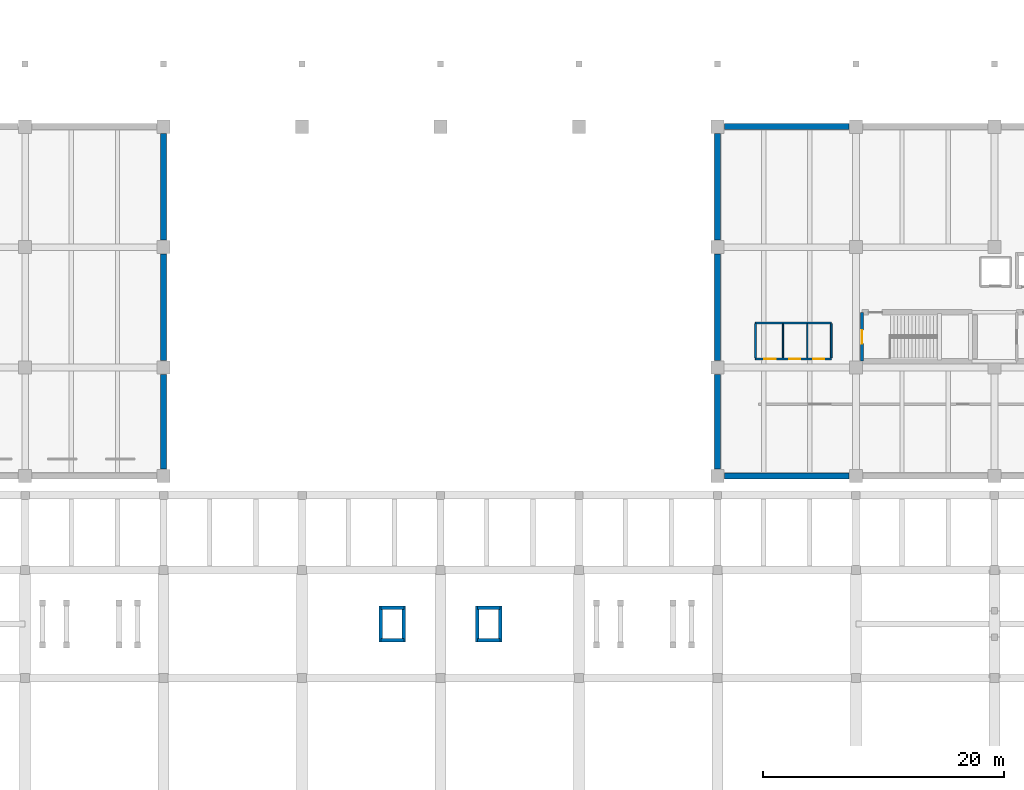
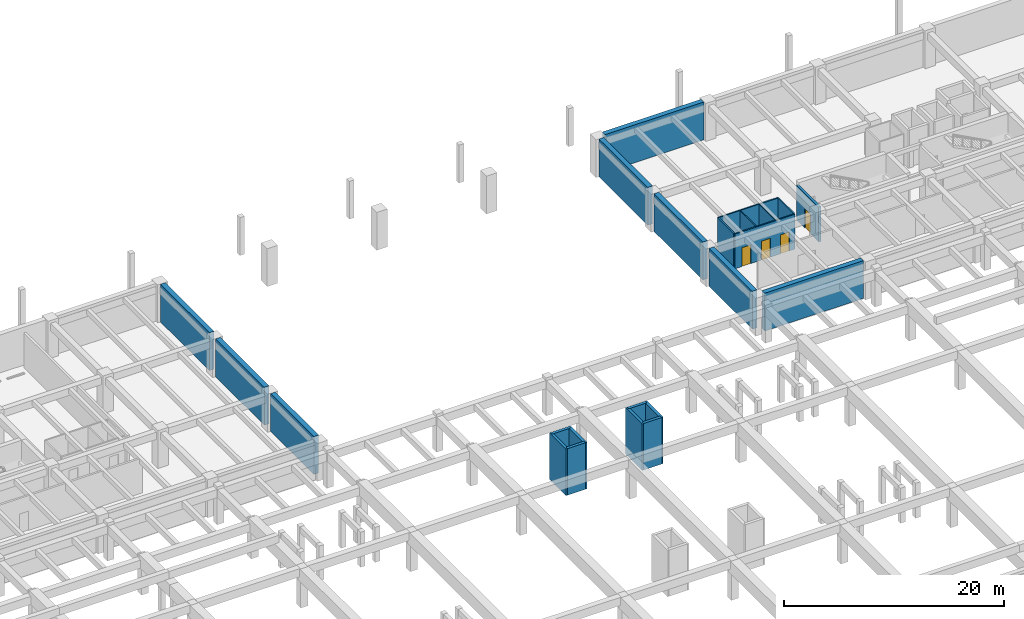
# One storey, part 13 of 20: 23 walls, 4 doors, 4 openings.
"""IFC4 building model written with IfcOpenShell, lengths in metres."""

from ifc_helpers import new_model, si_unit, direction, frame, frame_2d, origin, place, context, subcontext, project, spatial, rectangle, extrude, material, layer, layer_set, type_object, element, fill, save


model = new_model("IFC4")

# Units and contexts
model_context = context("Model", 3, precision=1e-05, world=origin(), true_north=direction((0.0, 1.0)))
body_context = subcontext(model_context, "Body", "Model", "MODEL_VIEW")
ifc_project = project(units=[si_unit("LENGTHUNIT", "METRE"), si_unit("AREAUNIT", "SQUARE_METRE"), si_unit("VOLUMEUNIT", "CUBIC_METRE"), si_unit("PLANEANGLEUNIT", "RADIAN"), si_unit("MASSUNIT", "GRAM", prefix="KILO")], contexts=[model_context])

# Site, building, storey
site_placement = place(None, origin())
site = spatial("IfcSite", under=ifc_project, at=site_placement, CompositionType="ELEMENT")
building_placement = place(site_placement, origin())
building = spatial("IfcBuilding", under=site, at=building_placement, Name="Ologun Quay Terminus", CompositionType="ELEMENT")
storey_placement = place(building_placement, frame((0.0, 0.0, -4.199951171875)))
storey = spatial("IfcBuildingStorey", under=building, at=storey_placement, Name="B01", CompositionType="ELEMENT", Elevation=-4.199951171875)

# Walls
ifc_material_1 = material(Name="Concrete C35/45", Category="concrete")
ifc_layer_1 = layer(ifc_material_1, 0.5)
ifc_layer_set_1 = layer_set([ifc_layer_1], Name="Concrete C35/45")
wall_type_1 = type_object("IfcWallType", Name="Basement Perimeter Retaining Wall 500", PredefinedType="SHEAR", material=ifc_layer_set_1)
wall_1_placement = place(storey_placement, frame((115.570068359375, 85.800048828125, 0.0), z_axis=(0.0, 0.0, 1.0), x_axis=(1.0, 0.0, 0.0)))
element("IfcWall", 1, at=wall_1_placement, inside=storey, type_object=wall_type_1, Name="Retaining Wall TNE-11 B01", PredefinedType="SHEAR", context=body_context, shape_type="SweptSolid", body=[
    extrude(rectangle(XDim=10.35986328125, YDim=0.5, at=frame_2d((5.179931640625, 0.0))), origin(), (0.0, 0.0, 1.0), 4.199951171875),
])
wall_2_placement = place(storey_placement, frame((69.0, 86.3701171875, 0.0), z_axis=(0.0, 0.0, 1.0), x_axis=(0.0, 1.0, 0.0)))
element("IfcWall", 2, at=wall_2_placement, inside=storey, type_object=wall_type_1, Name="Retaining Wall CW-Y1 B01", PredefinedType="SHEAR", context=body_context, shape_type="SweptSolid", body=[
    extrude(rectangle(XDim=7.85986328125, YDim=0.5, at=frame_2d((3.929931640625, 0.0))), origin(), (0.0, 0.0, 1.0), 4.199951171875),
])
for number, where, z_axis, x_axis, name in (
    (3, (69.0, 95.3701171875, 0.0), (0.0, 0.0, 1.0), (0.0, 1.0, 0.0), "Retaining Wall CW-Y2 B01"),
    (4, (69.0, 105.3701171875, 0.0), (0.0, 0.0, 1.0), (0.0, 1.0, 0.0), "Retaining Wall CW-Y3 B01"),
):
    element("IfcWall", number, at=place(storey_placement, frame(where, z_axis=z_axis, x_axis=x_axis)), inside=storey, type_object=wall_type_1, Name=name, PredefinedType="SHEAR", context=body_context, shape_type="SweptSolid", body=[
        extrude(rectangle(XDim=8.85986328125, YDim=0.5, at=frame_2d((4.429931640625, 0.0))), origin(), (0.0, 0.0, 1.0), 4.199951171875),
    ])
wall_3_placement = place(storey_placement, frame((115.0, 86.3701171875, 0.0), z_axis=(0.0, 0.0, 1.0), x_axis=(0.0, 1.0, 0.0)))
element("IfcWall", 5, at=wall_3_placement, inside=storey, type_object=wall_type_1, Name="Retaining Wall CE-Y1 B01", PredefinedType="SHEAR", context=body_context, shape_type="SweptSolid", body=[
    extrude(rectangle(XDim=7.85986328125, YDim=0.5, at=frame_2d((3.929931640625, 0.0))), origin(), (0.0, 0.0, 1.0), 4.199951171875),
])
for number, where, z_axis, x_axis, name in (
    (6, (115.0, 95.3701171875, 0.0), (0.0, 0.0, 1.0), (0.0, 1.0, 0.0), "Retaining Wall CE-Y2 B01"),
    (7, (115.0, 105.3701171875, 0.0), (0.0, 0.0, 1.0), (0.0, 1.0, 0.0), "Retaining Wall CE-Y3 B01"),
):
    element("IfcWall", number, at=place(storey_placement, frame(where, z_axis=z_axis, x_axis=x_axis)), inside=storey, type_object=wall_type_1, Name=name, PredefinedType="SHEAR", context=body_context, shape_type="SweptSolid", body=[
        extrude(rectangle(XDim=8.85986328125, YDim=0.5, at=frame_2d((4.429931640625, 0.0))), origin(), (0.0, 0.0, 1.0), 4.199951171875),
    ])
wall_4_placement = place(storey_placement, frame((115.570068359375, 114.800048828125, 0.0), z_axis=(0.0, 0.0, 1.0), x_axis=(1.0, 0.0, 0.0)))
element("IfcWall", 8, at=wall_4_placement, inside=storey, type_object=wall_type_1, Name="Retaining Wall NE-11 B01", PredefinedType="SHEAR", context=body_context, shape_type="SweptSolid", body=[
    extrude(rectangle(XDim=10.35986328125, YDim=0.5, at=frame_2d((5.179931640625, 0.0))), origin(), (0.0, 0.0, 1.0), 4.199951171875),
])

# Wall, opening, door
ifc_material_2 = material(Name="Concrete C40/50", Category="concrete")
ifc_layer_2 = layer(ifc_material_2, 0.239990234375)
ifc_layer_set_2 = layer_set([ifc_layer_2], Name="Concrete C40/50")
wall_type_2 = type_object("IfcWallType", Name="Fire Compartment Blockwork Wall 240", PredefinedType="SOLIDWALL", material=ifc_layer_set_2)
wall_5_placement = place(storey_placement, frame((127.0, 95.330078125, 0.0), z_axis=(0.0, 0.0, 1.0), x_axis=(0.0, 1.0, 0.0)))
wall_5 = element("IfcWall", 9, at=wall_5_placement, inside=storey, type_object=wall_type_2, Name="PW-01 Partition EStair1-W", PredefinedType="SOLIDWALL", context=body_context, shape_type="SweptSolid", body=[
    extrude(rectangle(XDim=4.0400390625, YDim=0.239990234375, at=frame_2d((2.02001953125, 0.0))), origin(), (0.0, 0.0, 1.0), 3.85986328125),
])
opening_1_placement = place(wall_5_placement, frame((1.449951171875, 0.0, 0.0)))
opening_1 = element("IfcOpeningElement", 10, at=opening_1_placement, cuts=wall_5, Name="Opening ID-154", PredefinedType="OPENING", context=body_context, shape_type="SweptSolid", body=[
    extrude(rectangle(XDim=1.1298828125, YDim=2.14990234375, at=frame_2d((0.56494140625, 1.074951171875))), frame((0.0, 0.1298828125, 0.0), z_axis=(0.0, -1.0, 0.0), x_axis=(1.0, 0.0, 0.0)), (0.0, 0.0, 1.0), 0.260009765625),
])
ifc_material_3 = material(Name="Steel S355", Category="steel")
door_type_1 = type_object("IfcDoorType", Name="Stairwell Fire Escape Door 1130x2150", OperationType="SINGLE_SWING_LEFT", PredefinedType="DOOR", material=ifc_material_3)
door_1_placement = place(opening_1_placement, frame((0.56494140625, 0.0, 0.0), z_axis=(0.0, 0.0, 1.0), x_axis=(-1.0, 0.0, 0.0)))
door_1 = element("IfcDoor", 11, at=door_1_placement, inside=storey, type_object=door_type_1, Name="FD-01 Door ID-154", OperationType="SINGLE_SWING_LEFT", OverallHeight=2.14990234375, OverallWidth=1.1298828125, PredefinedType="DOOR", context=body_context, shape_type="SweptSolid", body=[
    extrude(rectangle(XDim=1.1298828125, YDim=2.14990234375, at=frame_2d((0.0, 1.074951171875))), frame((0.0, 0.02490234375, 0.0), z_axis=(0.0, -1.0, 0.0), x_axis=(1.0, 0.0, 0.0)), (0.0, 0.0, 1.0), 0.050048828125),
])
fill(opening_1, door_1)

# Walls
ifc_material_4 = material(Name="Concrete C40/50", Category="concrete")
ifc_layer_3 = layer(ifc_material_4, 0.300048828125)
ifc_layer_set_3 = layer_set([ifc_layer_3], Name="Concrete C40/50")
wall_type_3 = type_object("IfcWallType", Name="Lift Shaft Structural Shear Wall 300", PredefinedType="SHEAR", material=ifc_layer_set_3)
for number, where, z_axis, x_axis, name in (
    (12, (87.050048828125, 72.14990234375, 0.0), (0.0, 0.0, 1.0), (1.0, 0.0, 0.0), "Lift PL-P3 Shaft Wall S B01"),
    (13, (87.050048828125, 74.85009765625, 0.0), (0.0, 0.0, 1.0), (1.0, 0.0, 0.0), "Lift PL-P3 Shaft Wall N B01"),
):
    element("IfcWall", number, at=place(storey_placement, frame(where, z_axis=z_axis, x_axis=x_axis)), inside=storey, type_object=wall_type_3, Name=name, PredefinedType="SHEAR", context=body_context, shape_type="SweptSolid", body=[
        extrude(rectangle(XDim=1.89990234375, YDim=0.300048828125, at=frame_2d((0.949951171875, 0.0))), origin(), (0.0, 0.0, 1.0), 5.14990234375),
    ])
for number, where, z_axis, x_axis, name in (
    (14, (87.050048828125, 72.0, 0.0), (0.0, 0.0, 1.0), (0.0, 1.0, 0.0), "Lift PL-P3 Shaft Wall W B01"),
    (15, (88.949951171875, 72.0, 0.0), (0.0, 0.0, 1.0), (0.0, 1.0, 0.0), "Lift PL-P3 Shaft Wall E B01"),
):
    element("IfcWall", number, at=place(storey_placement, frame(where, z_axis=z_axis, x_axis=x_axis)), inside=storey, type_object=wall_type_3, Name=name, PredefinedType="SHEAR", context=body_context, shape_type="SweptSolid", body=[
        extrude(rectangle(XDim=3.0, YDim=0.300048828125, at=frame_2d((1.5, 0.0))), origin(), (0.0, 0.0, 1.0), 5.14990234375),
    ])
for number, where, z_axis, x_axis, name in (
    (16, (95.050048828125, 72.14990234375, 0.0), (0.0, 0.0, 1.0), (1.0, 0.0, 0.0), "Lift PL-P4 Shaft Wall S B01"),
    (17, (95.050048828125, 74.85009765625, 0.0), (0.0, 0.0, 1.0), (1.0, 0.0, 0.0), "Lift PL-P4 Shaft Wall N B01"),
):
    element("IfcWall", number, at=place(storey_placement, frame(where, z_axis=z_axis, x_axis=x_axis)), inside=storey, type_object=wall_type_3, Name=name, PredefinedType="SHEAR", context=body_context, shape_type="SweptSolid", body=[
        extrude(rectangle(XDim=1.89990234375, YDim=0.300048828125, at=frame_2d((0.949951171875, 0.0))), origin(), (0.0, 0.0, 1.0), 5.14990234375),
    ])
for number, where, z_axis, x_axis, name in (
    (18, (95.050048828125, 72.0, 0.0), (0.0, 0.0, 1.0), (0.0, 1.0, 0.0), "Lift PL-P4 Shaft Wall W B01"),
    (19, (96.949951171875, 72.0, 0.0), (0.0, 0.0, 1.0), (0.0, 1.0, 0.0), "Lift PL-P4 Shaft Wall E B01"),
):
    element("IfcWall", number, at=place(storey_placement, frame(where, z_axis=z_axis, x_axis=x_axis)), inside=storey, type_object=wall_type_3, Name=name, PredefinedType="SHEAR", context=body_context, shape_type="SweptSolid", body=[
        extrude(rectangle(XDim=3.0, YDim=0.300048828125, at=frame_2d((1.5, 0.0))), origin(), (0.0, 0.0, 1.0), 5.14990234375),
    ])
ifc_material_5 = material(Name="Gypsum Acoustic Stud")
ifc_layer_4 = layer(ifc_material_5, 0.10498046875)
ifc_layer_set_4 = layer_set([ifc_layer_4], Name="Gypsum Acoustic Stud")
wall_type_4 = type_object("IfcWallType", Name="Light Cubicle Partition 105", PredefinedType="PARTITIONING", material=ifc_layer_set_4)
for number, where, z_axis, x_axis, name in (
    (20, (120.449951171875, 95.60009765625, 0.0), (0.0, 0.0, 1.0), (0.0, 1.0, 0.0), "PW-13 Partition EWC-D1"),
    (21, (122.449951171875, 95.60009765625, 0.0), (0.0, 0.0, 1.0), (0.0, 1.0, 0.0), "PW-13 Partition EWC-D2"),
):
    element("IfcWall", number, at=place(storey_placement, frame(where, z_axis=z_axis, x_axis=x_axis)), inside=storey, type_object=wall_type_4, Name=name, PredefinedType="PARTITIONING", context=body_context, shape_type="SweptSolid", body=[
        extrude(rectangle(XDim=2.849853515625, YDim=0.10498046875, at=frame_2d((1.4248046875, 0.0))), origin(), (0.0, 0.0, 1.0), 3.85986328125),
    ])

# Wall, openings, doors
ifc_material_6 = material(Name="Concrete C40/50", Category="concrete")
ifc_layer_5 = layer(ifc_material_6, 0.139892578125)
ifc_layer_set_5 = layer_set([ifc_layer_5], Name="Concrete C40/50")
wall_type_5 = type_object("IfcWallType", Name="Sanitary Wet-Area Blockwork Wall 140", PredefinedType="PLUMBINGWALL", material=ifc_layer_set_5)
wall_6_placement = place(storey_placement, frame((118.14990234375, 95.5, 0.0), z_axis=(0.0, 0.0, 1.0), x_axis=(1.0, 0.0, 0.0)))
wall_6 = element("IfcWall", 22, at=wall_6_placement, inside=storey, type_object=wall_type_5, Name="PW-06 Partition EWC-S", PredefinedType="PLUMBINGWALL", context=body_context, shape_type="SweptSolid", body=[
    extrude(rectangle(XDim=6.300048828125, YDim=0.139892578125, at=frame_2d((3.14990234375, 0.0))), origin(), (0.0, 0.0, 1.0), 3.85986328125),
])
opening_2_placement = place(wall_6_placement, frame((0.719970703125, 0.0, 0.0)))
opening_2 = element("IfcOpeningElement", 23, at=opening_2_placement, cuts=wall_6, Name="Opening ID-160", PredefinedType="OPENING", context=body_context, shape_type="SweptSolid", body=[
    extrude(rectangle(XDim=0.949951171875, YDim=2.10009765625, at=frame_2d((0.47509765625, 1.050048828125))), frame((0.0, 0.080078125, 0.0), z_axis=(0.0, -1.0, 0.0), x_axis=(1.0, 0.0, 0.0)), (0.0, 0.0, 1.0), 0.159912109375),
])
opening_3_placement = place(wall_6_placement, frame((2.800048828125, 0.0, 0.0)))
opening_3 = element("IfcOpeningElement", 24, at=opening_3_placement, cuts=wall_6, Name="Opening ID-161", PredefinedType="OPENING", context=body_context, shape_type="SweptSolid", body=[
    extrude(rectangle(XDim=0.919921875, YDim=2.10009765625, at=frame_2d((0.4599609375, 1.050048828125))), frame((0.0, 0.080078125, 0.0), z_axis=(0.0, -1.0, 0.0), x_axis=(1.0, 0.0, 0.0)), (0.0, 0.0, 1.0), 0.159912109375),
])
opening_4_placement = place(wall_6_placement, frame((4.800048828125, 0.0, 0.0)))
opening_4 = element("IfcOpeningElement", 25, at=opening_4_placement, cuts=wall_6, Name="Opening ID-162", PredefinedType="OPENING", context=body_context, shape_type="SweptSolid", body=[
    extrude(rectangle(XDim=0.919921875, YDim=2.10009765625, at=frame_2d((0.4599609375, 1.050048828125))), frame((0.0, 0.080078125, 0.0), z_axis=(0.0, -1.0, 0.0), x_axis=(1.0, 0.0, 0.0)), (0.0, 0.0, 1.0), 0.159912109375),
])
ifc_material_7 = material(Name="Timber Hardwood", Category="wood")
door_type_2 = type_object("IfcDoorType", Name="Accessible WC Outward-Swing Door 950x2100", OperationType="SINGLE_SWING_LEFT", PredefinedType="DOOR", material=ifc_material_7)
door_2_placement = place(opening_2_placement, frame((0.47509765625, 0.0, 0.0), z_axis=(0.0, 0.0, 1.0), x_axis=(-1.0, 0.0, 0.0)))
door_2 = element("IfcDoor", 26, at=door_2_placement, inside=storey, type_object=door_type_2, Name="ID-04 Door ID-160", OperationType="SINGLE_SWING_LEFT", OverallHeight=2.10009765625, OverallWidth=0.949951171875, PredefinedType="DOOR", context=body_context, shape_type="SweptSolid", body=[
    extrude(rectangle(XDim=0.949951171875, YDim=2.10009765625, at=frame_2d((0.0, 1.050048828125))), frame((0.0, 0.02490234375, 0.0), z_axis=(0.0, -1.0, 0.0), x_axis=(1.0, 0.0, 0.0)), (0.0, 0.0, 1.0), 0.050048828125),
])
fill(opening_2, door_2)
ifc_material_8 = material(Name="Timber Hardwood", Category="wood")
door_type_3 = type_object("IfcDoorType", Name="Sanitary Block Entrance Door 920x2100", OperationType="SINGLE_SWING_RIGHT", PredefinedType="DOOR", material=ifc_material_8)
door_3_placement = place(opening_3_placement, origin())
door_3 = element("IfcDoor", 27, at=door_3_placement, inside=storey, type_object=door_type_3, Name="ID-05 Door ID-161", OperationType="SINGLE_SWING_RIGHT", OverallHeight=2.10009765625, OverallWidth=0.919921875, PredefinedType="DOOR", context=body_context, shape_type="SweptSolid", body=[
    extrude(rectangle(XDim=0.919921875, YDim=2.10009765625, at=frame_2d((0.4599609375, 1.050048828125))), frame((0.0, 0.02490234375, 0.0), z_axis=(0.0, -1.0, 0.0), x_axis=(1.0, 0.0, 0.0)), (0.0, 0.0, 1.0), 0.050048828125),
])
fill(opening_3, door_3)
door_4_placement = place(opening_4_placement, origin())
door_4 = element("IfcDoor", 28, at=door_4_placement, inside=storey, type_object=door_type_3, Name="ID-05 Door ID-162", OperationType="SINGLE_SWING_RIGHT", OverallHeight=2.10009765625, OverallWidth=0.919921875, PredefinedType="DOOR", context=body_context, shape_type="SweptSolid", body=[
    extrude(rectangle(XDim=0.919921875, YDim=2.10009765625, at=frame_2d((0.4599609375, 1.050048828125))), frame((0.0, 0.02490234375, 0.0), z_axis=(0.0, -1.0, 0.0), x_axis=(1.0, 0.0, 0.0)), (0.0, 0.0, 1.0), 0.050048828125),
])
fill(opening_4, door_4)

# Walls
for number, where, z_axis, x_axis, name in (
    (29, (118.14990234375, 95.60009765625, 0.0), (0.0, 0.0, 1.0), (0.0, 1.0, 0.0), "PW-06 Partition EWC-W"),
    (30, (124.449951171875, 95.60009765625, 0.0), (0.0, 0.0, 1.0), (0.0, 1.0, 0.0), "PW-06 Partition EWC-E"),
):
    element("IfcWall", number, at=place(storey_placement, frame(where, z_axis=z_axis, x_axis=x_axis)), inside=storey, type_object=wall_type_5, Name=name, PredefinedType="PLUMBINGWALL", context=body_context, shape_type="SweptSolid", body=[
        extrude(rectangle(XDim=2.849853515625, YDim=0.139892578125, at=frame_2d((1.4248046875, 0.0))), origin(), (0.0, 0.0, 1.0), 3.85986328125),
    ])
wall_7_placement = place(storey_placement, frame((118.14990234375, 98.5, 0.0), z_axis=(0.0, 0.0, 1.0), x_axis=(1.0, 0.0, 0.0)))
element("IfcWall", 31, at=wall_7_placement, inside=storey, type_object=wall_type_5, Name="PW-06 Partition EWC-N", PredefinedType="PLUMBINGWALL", context=body_context, shape_type="SweptSolid", body=[
    extrude(rectangle(XDim=6.300048828125, YDim=0.139892578125, at=frame_2d((3.14990234375, 0.0))), origin(), (0.0, 0.0, 1.0), 3.85986328125),
])

save(model, "model.ifc")
